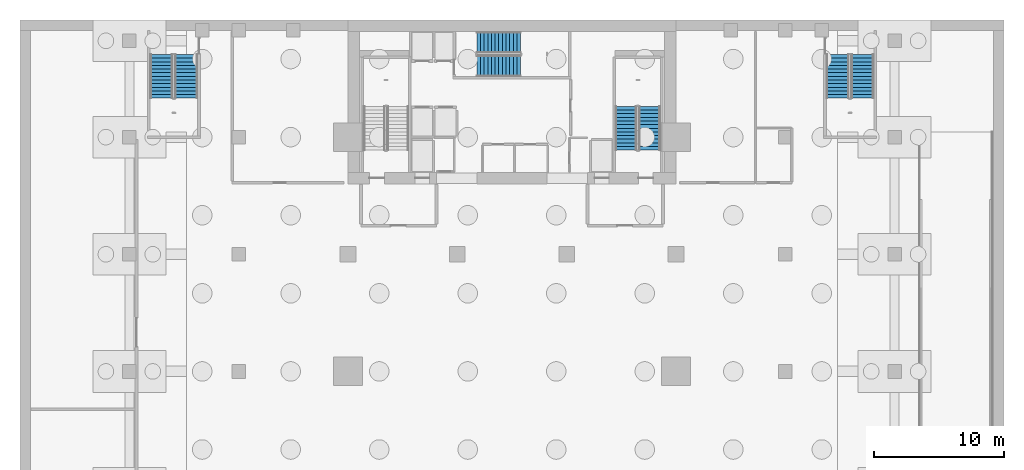
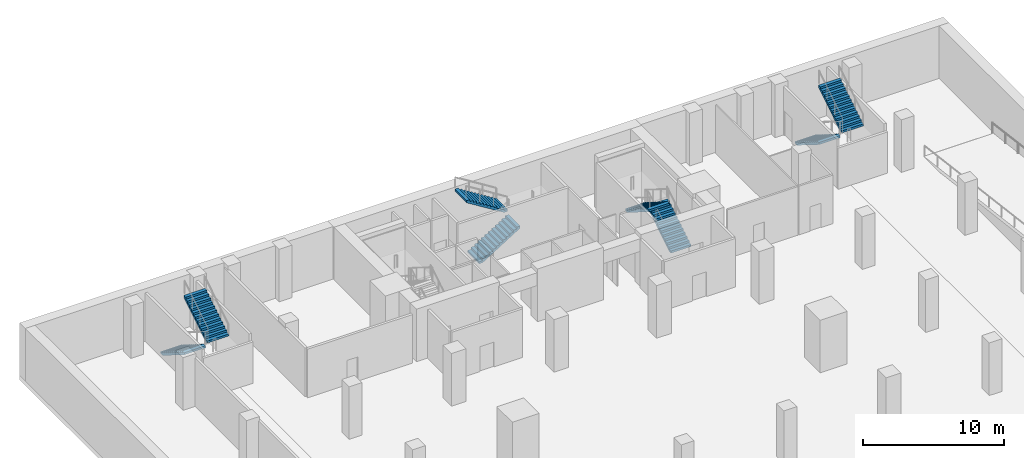
# One storey, part 5 of 9: 8 stair flights, 4 elements without a shape of their own.
"""IFC4 building model written with IfcOpenShell, lengths in metres."""

import ifcopenshell
import ifcopenshell.guid

model = None  # the IFC model being written
_history = None  # IfcOwnerHistory: only IFC2X3 demands one
_inside = {}  # id of a spatial element -> (the spatial element, [elements in it])
_under = {}  # id of a project, library or spatial element -> (it, [spatial elements below it])
_declared = {}  # id of a project -> (the project, [libraries it declares])
_typed = {}  # id of a type object -> (the type object, [elements of that type])
_made_of = {}  # id of a material, layer set ... -> (it, [elements and type objects made of it])


def new_model(schema):
    """Start an empty IFC model of exactly this schema.

    Asked for "IFC4X3", IfcOpenShell would pick the latest addendum, in which some entities
    have other attributes; the version numbers below select the first issue.
    IFC2X3 requires an IfcOwnerHistory on every rooted entity: one is made here for all.
    """
    global model, _history
    if schema == "IFC4X3":
        model = ifcopenshell.file(schema_version=(4, 3, 0, 0))
    else:
        model = ifcopenshell.file(schema=schema)
    _inside.clear()
    _under.clear()
    _declared.clear()
    _typed.clear()
    _made_of.clear()
    _history = None
    if model.schema == "IFC2X3":
        org = make("IfcOrganization", Name="unknown")
        user = make(
            "IfcPersonAndOrganization",
            ThePerson=make("IfcPerson", FamilyName="unknown"),
            TheOrganization=org,
        )
        app = make(
            "IfcApplication",
            ApplicationDeveloper=org,
            Version="unknown",
            ApplicationFullName="unknown",
            ApplicationIdentifier="unknown",
        )
        _history = make(
            "IfcOwnerHistory",
            OwningUser=user,
            OwningApplication=app,
            ChangeAction="ADDED",
            CreationDate=0,
        )
    return model


def make(cls, **values):
    """One entity of the class cls with the attributes given. An attribute that is None is left unset."""
    return model.create_entity(
        cls, **{name: value for name, value in values.items() if value is not None}
    )


def rooted(cls, **values):
    """An entity with a GlobalId (a new one), such as an element, a storey or a relation."""
    return make(cls, GlobalId=ifcopenshell.guid.new(), OwnerHistory=_history, **values)


def si_unit(unit_type, name, prefix=None):
    """IfcSIUnit, for example si_unit("LENGTHUNIT", "METRE", prefix="MILLI")."""
    return make("IfcSIUnit", UnitType=unit_type, Prefix=prefix, Name=name)


def assignment(units):
    """IfcUnitAssignment: the units of a project."""
    return None if units is None else make("IfcUnitAssignment", Units=units)


def point(xyz):
    """IfcCartesianPoint."""
    return None if xyz is None else make("IfcCartesianPoint", Coordinates=xyz)


def direction(xyz):
    """IfcDirection."""
    return None if xyz is None else make("IfcDirection", DirectionRatios=xyz)


def frame(location, z_axis=None, x_axis=None):
    """IfcAxis2Placement3D, a coordinate frame: its origin and axes. An axis left out is left unset."""
    return make(
        "IfcAxis2Placement3D",
        Location=point(location),
        Axis=direction(z_axis),
        RefDirection=direction(x_axis),
    )


def origin():
    """The frame at (0, 0, 0) with its axes left unset."""
    return frame((0.0, 0.0, 0.0))


def place(relative_to, where):
    """IfcLocalPlacement: puts the frame where relative to a parent placement (None: the world)."""
    return make(
        "IfcLocalPlacement", PlacementRelTo=relative_to, RelativePlacement=where
    )


def context(
    kind, dimensions, precision=None, world=None, true_north=None, identifier=None
):
    """IfcGeometricRepresentationContext, for example the 3D "Model" context."""
    return make(
        "IfcGeometricRepresentationContext",
        ContextIdentifier=identifier,
        ContextType=kind,
        CoordinateSpaceDimension=dimensions,
        Precision=precision,
        WorldCoordinateSystem=world,
        TrueNorth=true_north,
    )


def subcontext(parent, identifier, kind, view, scale=None):
    """IfcGeometricRepresentationSubContext, for example "Body" below "Model"."""
    return make(
        "IfcGeometricRepresentationSubContext",
        ContextIdentifier=identifier,
        ContextType=kind,
        ParentContext=parent,
        TargetScale=scale,
        TargetView=view,
    )


def project(units=None, contexts=None):
    """IfcProject with its units and contexts."""
    return rooted(
        "IfcProject",
        Name="project",
        RepresentationContexts=contexts,
        UnitsInContext=assignment(units),
    )


def spatial(cls, under=None, at=None, **own):
    """A site, building, storey or space (cls), placed at a placement, below another one or the project."""
    s = rooted(cls, ObjectPlacement=at, **own)
    if under is not None:
        _under.setdefault(under.id(), (under, []))[1].append(s)
    return s


def polyline(points):
    """IfcPolyline through the points."""
    return make("IfcPolyline", Points=[point(p) for p in points])


def outline(outer, holes=None, kind="AREA"):
    """IfcArbitraryClosedProfileDef: a profile drawn as a closed curve; with holes, ...WithVoids."""
    if holes is None:
        return make("IfcArbitraryClosedProfileDef", ProfileType=kind, OuterCurve=outer)
    return make(
        "IfcArbitraryProfileDefWithVoids",
        ProfileType=kind,
        OuterCurve=outer,
        InnerCurves=holes,
    )


def extrude(swept, where, along, depth):
    """IfcExtrudedAreaSolid: the profile swept, set in the frame where, extruded along a direction by depth."""
    return make(
        "IfcExtrudedAreaSolid",
        SweptArea=swept,
        Position=where,
        ExtrudedDirection=direction(along),
        Depth=depth,
    )


def shape(context_of_items, identifier, shape_type, items):
    """IfcShapeRepresentation: the items that make up one representation, for example the "Body"."""
    return make(
        "IfcShapeRepresentation",
        ContextOfItems=context_of_items,
        RepresentationIdentifier=identifier,
        RepresentationType=shape_type,
        Items=items,
    )


def material(Name=None, Category=None):
    """IfcMaterial."""
    return make("IfcMaterial", Name=Name, Category=Category)


def made_of(thing, what):
    """Note that an element or type object is made of a material, layer set ...; save() writes the relation."""
    if what is not None:
        _made_of.setdefault(what.id(), (what, []))[1].append(thing)
    return thing


def type_object(cls, material=None, **own):
    """A type object (cls), such as IfcWallType, which elements share."""
    return made_of(rooted(cls, **own), material)


def element(
    cls,
    number,
    at=None,
    inside=None,
    cuts=None,
    type_object=None,
    material=None,
    context=None,
    identifier="Body",
    shape_type=None,
    held_by="IfcProductDefinitionShape",
    body=None,
    shapes=None,
    **own,
):
    """One element of the class cls, such as IfcWall. Its Tag is "e" and its number.

    at: its placement. inside: the storey or other place that contains it. cuts: it is an
    opening in that element (IfcRelVoidsElement). A single representation is given by context,
    identifier, shape_type and body (its items); several are given by shapes. held_by: the class
    of the entity that holds the representations. save() writes the other relations.
    """
    e = rooted(cls, Tag="e%d" % number, ObjectPlacement=at, **own)
    if body is not None:
        shapes = [shape(context, identifier, shape_type, body)]
    if shapes is not None:
        e.Representation = make(held_by, Representations=shapes)
    if inside is not None:
        _inside.setdefault(inside.id(), (inside, []))[1].append(e)
    if cuts is not None:
        rooted(
            "IfcRelVoidsElement", RelatingBuildingElement=cuts, RelatedOpeningElement=e
        )
    if type_object is not None:
        _typed.setdefault(type_object.id(), (type_object, []))[1].append(e)
    return made_of(e, material)


def aggregate(whole, parts):
    """IfcRelAggregates: a whole, such as a stair, and the parts it consists of."""
    return rooted("IfcRelAggregates", RelatingObject=whole, RelatedObjects=parts)


def save(model, path):
    """Write the relations noted so far, then the file.

    IfcRelAggregates (storeys below a building ...), IfcRelContainedInSpatialStructure (elements
    in a storey), IfcRelDefinesByType, IfcRelAssociatesMaterial and IfcRelDeclares: one each for
    every whole, place, type object, material and project.
    """
    for whole, parts in _under.values():
        aggregate(whole, parts)
    for where, things in _inside.values():
        rooted(
            "IfcRelContainedInSpatialStructure",
            RelatedElements=things,
            RelatingStructure=where,
        )
    for kind, things in _typed.values():
        rooted("IfcRelDefinesByType", RelatedObjects=things, RelatingType=kind)
    for what, things in _made_of.values():
        rooted("IfcRelAssociatesMaterial", RelatedObjects=things, RelatingMaterial=what)
    for by, libraries in _declared.values():
        rooted("IfcRelDeclares", RelatingContext=by, RelatedDefinitions=libraries)
    model.write(path)


model = new_model("IFC4")

# Units and contexts
model_context = context("Model", 3, precision=1e-05, world=origin(), true_north=direction((0.0, 1.0)))
body_context = subcontext(model_context, "Body", "Model", "MODEL_VIEW")
ifc_project = project(units=[si_unit("LENGTHUNIT", "METRE"), si_unit("AREAUNIT", "SQUARE_METRE"), si_unit("VOLUMEUNIT", "CUBIC_METRE"), si_unit("PLANEANGLEUNIT", "RADIAN"), si_unit("MASSUNIT", "GRAM", prefix="KILO")], contexts=[model_context])

# Site, building, storey
site_placement = place(None, origin())
site = spatial("IfcSite", under=ifc_project, at=site_placement, CompositionType="ELEMENT")
building_placement = place(site_placement, origin())
building = spatial("IfcBuilding", under=site, at=building_placement, Name="Maruvema Waterfront Hotel and Observation Tower", CompositionType="ELEMENT")
storey_placement = place(building_placement, frame((0.0, 0.0, -9.800048828125)))
storey = spatial("IfcBuildingStorey", under=building, at=storey_placement, Name="B02", CompositionType="ELEMENT", Elevation=-9.800048828125)

# Stair, stair flights
ifc_material_1 = material(Name="Concrete C50/60", Category="concrete")
stair_type_1 = type_object("IfcStairType", Name="Dogleg Exit Stair 1650 mm (26R x 175.0 mm)", PredefinedType="HALF_TURN_STAIR", material=ifc_material_1)
stair_1_placement = place(storey_placement, origin())
stair_1 = element("IfcStair", 1, at=stair_1_placement, inside=storey, type_object=stair_type_1, Name="B02 ST-02", PredefinedType="HALF_TURN_STAIR")
ifc_material_2 = material(Name="Concrete C50/60", Category="concrete")
stair_flight_type_1 = type_object("IfcStairFlightType", Name="Reinforced Concrete Stair Flight 1650 mm (13R x 175.0 mm)", PredefinedType="STRAIGHT", material=ifc_material_2)
stair_flight_1_placement = place(storey_placement, frame((35.10009765625, 50.47509765625, 0.0), z_axis=(0.0, 0.0, 1.0), x_axis=(1.0, 0.0, 0.0)))
stair_flight_1 = element("IfcStairFlight", 2, at=stair_flight_1_placement, type_object=stair_flight_type_1, Name="ST-02 flight 1", NumberOfRisers=13, NumberOfTreads=12, PredefinedType="STRAIGHT", RiserHeight=0.175, TreadLength=0.28, context=body_context, shape_type="SweptSolid", body=[
    extrude(outline(polyline([(0.0, 0.0), (0.0, 0.175048828125), (0.280029296875, 0.175048828125), (0.280029296875, 0.35009765625), (0.56005859375, 0.35009765625), (0.56005859375, 0.52490234375), (0.840087890625, 0.52490234375), (0.840087890625, 0.699951171875), (1.1201171875, 0.699951171875), (1.1201171875, 0.875), (1.39990234375, 0.875), (1.39990234375, 1.050048828125), (1.679931640625, 1.050048828125), (1.679931640625, 1.22509765625), (1.9599609375, 1.22509765625), (1.9599609375, 1.39990234375), (2.239990234375, 1.39990234375), (2.239990234375, 1.574951171875), (2.52001953125, 1.574951171875), (2.52001953125, 1.75), (2.800048828125, 1.75), (2.800048828125, 1.925048828125), (3.080078125, 1.925048828125), (3.080078125, 2.10009765625), (3.360107421875, 2.10009765625), (3.360107421875, 2.27490234375), (3.360107421875, 1.92333984375), (0.28271484375, 0.0), (0.0, 0.0)])), frame((0.0, 0.824951171875, 0.0), z_axis=(0.0, -1.0, 0.0), x_axis=(1.0, 0.0, 0.0)), (0.0, 0.0, 1.0), 1.64990234375),
])
stair_flight_2_placement = place(storey_placement, frame((38.4599609375, 52.27490234375, 2.275146484375), z_axis=(0.0, 0.0, 1.0), x_axis=(-1.0, 0.0, 0.0)))
stair_flight_2 = element("IfcStairFlight", 3, at=stair_flight_2_placement, type_object=stair_flight_type_1, Name="ST-02 flight 2", NumberOfRisers=13, NumberOfTreads=12, PredefinedType="STRAIGHT", RiserHeight=0.175, TreadLength=0.28, context=body_context, shape_type="SweptSolid", body=[
    extrude(outline(polyline([(0.0, 0.0), (0.0, 0.175048828125), (0.280029296875, 0.175048828125), (0.280029296875, 0.35009765625), (0.56005859375, 0.35009765625), (0.56005859375, 0.52490234375), (0.840087890625, 0.52490234375), (0.840087890625, 0.699951171875), (1.1201171875, 0.699951171875), (1.1201171875, 0.875), (1.39990234375, 0.875), (1.39990234375, 1.050048828125), (1.679931640625, 1.050048828125), (1.679931640625, 1.22509765625), (1.9599609375, 1.22509765625), (1.9599609375, 1.39990234375), (2.239990234375, 1.39990234375), (2.239990234375, 1.574951171875), (2.52001953125, 1.574951171875), (2.52001953125, 1.75), (2.800048828125, 1.75), (2.800048828125, 1.925048828125), (3.080078125, 1.925048828125), (3.080078125, 2.10009765625), (3.360107421875, 2.10009765625), (3.360107421875, 2.27490234375), (3.360107421875, 1.92333984375), (0.28271484375, 0.0), (0.0, 0.0)])), frame((0.0, 0.824951171875, 0.0), z_axis=(0.0, -1.0, 0.0), x_axis=(1.0, 0.0, 0.0)), (0.0, 0.0, 1.0), 1.64990234375),
])
aggregate(stair_1, [stair_flight_1, stair_flight_2])

stair_2_placement = place(storey_placement, origin())
stair_2 = element("IfcStair", 4, at=stair_2_placement, inside=storey, type_object=stair_type_1, Name="B02 ST-03", PredefinedType="HALF_TURN_STAIR")
stair_flight_3_placement = place(storey_placement, frame((48.375, 44.0, 0.0), z_axis=(0.0, 0.0, 1.0), x_axis=(0.0, 1.0, 0.0)))
stair_flight_3 = element("IfcStairFlight", 5, at=stair_flight_3_placement, type_object=stair_flight_type_1, Name="ST-03 flight 1", NumberOfRisers=13, NumberOfTreads=12, PredefinedType="STRAIGHT", RiserHeight=0.175, TreadLength=0.28, context=body_context, shape_type="SweptSolid", body=[
    extrude(outline(polyline([(0.0, 0.0), (0.0, 0.175048828125), (0.280029296875, 0.175048828125), (0.280029296875, 0.35009765625), (0.56005859375, 0.35009765625), (0.56005859375, 0.52490234375), (0.840087890625, 0.52490234375), (0.840087890625, 0.699951171875), (1.1201171875, 0.699951171875), (1.1201171875, 0.875), (1.39990234375, 0.875), (1.39990234375, 1.050048828125), (1.679931640625, 1.050048828125), (1.679931640625, 1.22509765625), (1.9599609375, 1.22509765625), (1.9599609375, 1.39990234375), (2.239990234375, 1.39990234375), (2.239990234375, 1.574951171875), (2.52001953125, 1.574951171875), (2.52001953125, 1.75), (2.800048828125, 1.75), (2.800048828125, 1.925048828125), (3.080078125, 1.925048828125), (3.080078125, 2.10009765625), (3.360107421875, 2.10009765625), (3.360107421875, 2.27490234375), (3.360107421875, 1.92333984375), (0.28271484375, 0.0), (0.0, 0.0)])), frame((0.0, 0.824951171875, 0.0), z_axis=(0.0, -1.0, 0.0), x_axis=(1.0, 0.0, 0.0)), (0.0, 0.0, 1.0), 1.64990234375),
])
stair_flight_4_placement = place(storey_placement, frame((46.574951171875, 47.360107421875, 2.275146484375), z_axis=(0.0, 0.0, 1.0), x_axis=(0.0, -1.0, 0.0)))
stair_flight_4 = element("IfcStairFlight", 6, at=stair_flight_4_placement, type_object=stair_flight_type_1, Name="ST-03 flight 2", NumberOfRisers=13, NumberOfTreads=12, PredefinedType="STRAIGHT", RiserHeight=0.175, TreadLength=0.28, context=body_context, shape_type="SweptSolid", body=[
    extrude(outline(polyline([(0.0, 0.0), (0.0, 0.175048828125), (0.280029296875, 0.175048828125), (0.280029296875, 0.35009765625), (0.56005859375, 0.35009765625), (0.56005859375, 0.52490234375), (0.840087890625, 0.52490234375), (0.840087890625, 0.699951171875), (1.1201171875, 0.699951171875), (1.1201171875, 0.875), (1.39990234375, 0.875), (1.39990234375, 1.050048828125), (1.679931640625, 1.050048828125), (1.679931640625, 1.22509765625), (1.9599609375, 1.22509765625), (1.9599609375, 1.39990234375), (2.239990234375, 1.39990234375), (2.239990234375, 1.574951171875), (2.52001953125, 1.574951171875), (2.52001953125, 1.75), (2.800048828125, 1.75), (2.800048828125, 1.925048828125), (3.080078125, 1.925048828125), (3.080078125, 2.10009765625), (3.360107421875, 2.10009765625), (3.360107421875, 2.27490234375), (3.360107421875, 1.92333984375), (0.28271484375, 0.0), (0.0, 0.0)])), frame((0.0, 0.824951171875, 0.0), z_axis=(0.0, -1.0, 0.0), x_axis=(1.0, 0.0, 0.0)), (0.0, 0.0, 1.0), 1.64990234375),
])
aggregate(stair_2, [stair_flight_3, stair_flight_4])

ifc_material_3 = material(Name="Concrete C50/60", Category="concrete")
stair_type_2 = type_object("IfcStairType", Name="Dogleg Exit Stair 1750 mm (26R x 175.0 mm)", PredefinedType="HALF_TURN_STAIR", material=ifc_material_3)
stair_3_placement = place(storey_placement, origin())
stair_3 = element("IfcStair", 7, at=stair_3_placement, inside=storey, type_object=stair_type_2, Name="B02 ST-04", PredefinedType="HALF_TURN_STAIR")
ifc_material_4 = material(Name="Concrete C50/60", Category="concrete")
stair_flight_type_2 = type_object("IfcStairFlightType", Name="Reinforced Concrete Stair Flight 1750 mm (13R x 175.0 mm)", PredefinedType="STRAIGHT", material=ifc_material_4)
stair_flight_5_placement = place(storey_placement, frame((10.875, 51.35009765625, 0.0), z_axis=(0.0, 0.0, 1.0), x_axis=(0.0, -1.0, 0.0)))
stair_flight_5 = element("IfcStairFlight", 8, at=stair_flight_5_placement, type_object=stair_flight_type_2, Name="ST-04 flight 1", NumberOfRisers=13, NumberOfTreads=12, PredefinedType="STRAIGHT", RiserHeight=0.175, TreadLength=0.28, context=body_context, shape_type="SweptSolid", body=[
    extrude(outline(polyline([(0.0, 0.0), (0.0, 0.175048828125), (0.280029296875, 0.175048828125), (0.280029296875, 0.35009765625), (0.56005859375, 0.35009765625), (0.56005859375, 0.52490234375), (0.840087890625, 0.52490234375), (0.840087890625, 0.699951171875), (1.1201171875, 0.699951171875), (1.1201171875, 0.875), (1.39990234375, 0.875), (1.39990234375, 1.050048828125), (1.679931640625, 1.050048828125), (1.679931640625, 1.22509765625), (1.9599609375, 1.22509765625), (1.9599609375, 1.39990234375), (2.239990234375, 1.39990234375), (2.239990234375, 1.574951171875), (2.52001953125, 1.574951171875), (2.52001953125, 1.75), (2.800048828125, 1.75), (2.800048828125, 1.925048828125), (3.080078125, 1.925048828125), (3.080078125, 2.10009765625), (3.360107421875, 2.10009765625), (3.360107421875, 2.27490234375), (3.360107421875, 1.92333984375), (0.28271484375, 0.0), (0.0, 0.0)])), frame((0.0, 0.875, 0.0), z_axis=(0.0, -1.0, 0.0), x_axis=(1.0, 0.0, 0.0)), (0.0, 0.0, 1.0), 1.75),
])
stair_flight_6_placement = place(storey_placement, frame((12.77490234375, 47.989990234375, 2.275146484375), z_axis=(0.0, 0.0, 1.0), x_axis=(0.0, 1.0, 0.0)))
stair_flight_6 = element("IfcStairFlight", 9, at=stair_flight_6_placement, type_object=stair_flight_type_2, Name="ST-04 flight 2", NumberOfRisers=13, NumberOfTreads=12, PredefinedType="STRAIGHT", RiserHeight=0.175, TreadLength=0.28, context=body_context, shape_type="SweptSolid", body=[
    extrude(outline(polyline([(0.0, 0.0), (0.0, 0.175048828125), (0.280029296875, 0.175048828125), (0.280029296875, 0.35009765625), (0.56005859375, 0.35009765625), (0.56005859375, 0.52490234375), (0.840087890625, 0.52490234375), (0.840087890625, 0.699951171875), (1.1201171875, 0.699951171875), (1.1201171875, 0.875), (1.39990234375, 0.875), (1.39990234375, 1.050048828125), (1.679931640625, 1.050048828125), (1.679931640625, 1.22509765625), (1.9599609375, 1.22509765625), (1.9599609375, 1.39990234375), (2.239990234375, 1.39990234375), (2.239990234375, 1.574951171875), (2.52001953125, 1.574951171875), (2.52001953125, 1.75), (2.800048828125, 1.75), (2.800048828125, 1.925048828125), (3.080078125, 1.925048828125), (3.080078125, 2.10009765625), (3.360107421875, 2.10009765625), (3.360107421875, 2.27490234375), (3.360107421875, 1.92333984375), (0.28271484375, 0.0), (0.0, 0.0)])), frame((0.0, 0.875, 0.0), z_axis=(0.0, -1.0, 0.0), x_axis=(1.0, 0.0, 0.0)), (0.0, 0.0, 1.0), 1.75),
])
aggregate(stair_3, [stair_flight_5, stair_flight_6])

stair_4_placement = place(storey_placement, origin())
stair_4 = element("IfcStair", 10, at=stair_4_placement, inside=storey, type_object=stair_type_2, Name="B02 ST-05", PredefinedType="HALF_TURN_STAIR")
stair_flight_7_placement = place(storey_placement, frame((62.824951171875, 51.35009765625, 0.0), z_axis=(0.0, 0.0, 1.0), x_axis=(0.0, -1.0, 0.0)))
stair_flight_7 = element("IfcStairFlight", 11, at=stair_flight_7_placement, type_object=stair_flight_type_2, Name="ST-05 flight 1", NumberOfRisers=13, NumberOfTreads=12, PredefinedType="STRAIGHT", RiserHeight=0.175, TreadLength=0.28, context=body_context, shape_type="SweptSolid", body=[
    extrude(outline(polyline([(0.0, 0.0), (0.0, 0.175048828125), (0.280029296875, 0.175048828125), (0.280029296875, 0.35009765625), (0.56005859375, 0.35009765625), (0.56005859375, 0.52490234375), (0.840087890625, 0.52490234375), (0.840087890625, 0.699951171875), (1.1201171875, 0.699951171875), (1.1201171875, 0.875), (1.39990234375, 0.875), (1.39990234375, 1.050048828125), (1.679931640625, 1.050048828125), (1.679931640625, 1.22509765625), (1.9599609375, 1.22509765625), (1.9599609375, 1.39990234375), (2.239990234375, 1.39990234375), (2.239990234375, 1.574951171875), (2.52001953125, 1.574951171875), (2.52001953125, 1.75), (2.800048828125, 1.75), (2.800048828125, 1.925048828125), (3.080078125, 1.925048828125), (3.080078125, 2.10009765625), (3.360107421875, 2.10009765625), (3.360107421875, 2.27490234375), (3.360107421875, 1.92333984375), (0.28271484375, 0.0), (0.0, 0.0)])), frame((0.0, 0.875, 0.0), z_axis=(0.0, -1.0, 0.0), x_axis=(1.0, 0.0, 0.0)), (0.0, 0.0, 1.0), 1.75),
])
stair_flight_8_placement = place(storey_placement, frame((64.72509765625, 47.989990234375, 2.275146484375), z_axis=(0.0, 0.0, 1.0), x_axis=(0.0, 1.0, 0.0)))
stair_flight_8 = element("IfcStairFlight", 12, at=stair_flight_8_placement, type_object=stair_flight_type_2, Name="ST-05 flight 2", NumberOfRisers=13, NumberOfTreads=12, PredefinedType="STRAIGHT", RiserHeight=0.175, TreadLength=0.28, context=body_context, shape_type="SweptSolid", body=[
    extrude(outline(polyline([(0.0, 0.0), (0.0, 0.175048828125), (0.280029296875, 0.175048828125), (0.280029296875, 0.35009765625), (0.56005859375, 0.35009765625), (0.56005859375, 0.52490234375), (0.840087890625, 0.52490234375), (0.840087890625, 0.699951171875), (1.1201171875, 0.699951171875), (1.1201171875, 0.875), (1.39990234375, 0.875), (1.39990234375, 1.050048828125), (1.679931640625, 1.050048828125), (1.679931640625, 1.22509765625), (1.9599609375, 1.22509765625), (1.9599609375, 1.39990234375), (2.239990234375, 1.39990234375), (2.239990234375, 1.574951171875), (2.52001953125, 1.574951171875), (2.52001953125, 1.75), (2.800048828125, 1.75), (2.800048828125, 1.925048828125), (3.080078125, 1.925048828125), (3.080078125, 2.10009765625), (3.360107421875, 2.10009765625), (3.360107421875, 2.27490234375), (3.360107421875, 1.92333984375), (0.28271484375, 0.0), (0.0, 0.0)])), frame((0.0, 0.875, 0.0), z_axis=(0.0, -1.0, 0.0), x_axis=(1.0, 0.0, 0.0)), (0.0, 0.0, 1.0), 1.75),
])
aggregate(stair_4, [stair_flight_7, stair_flight_8])

save(model, "model.ifc")
